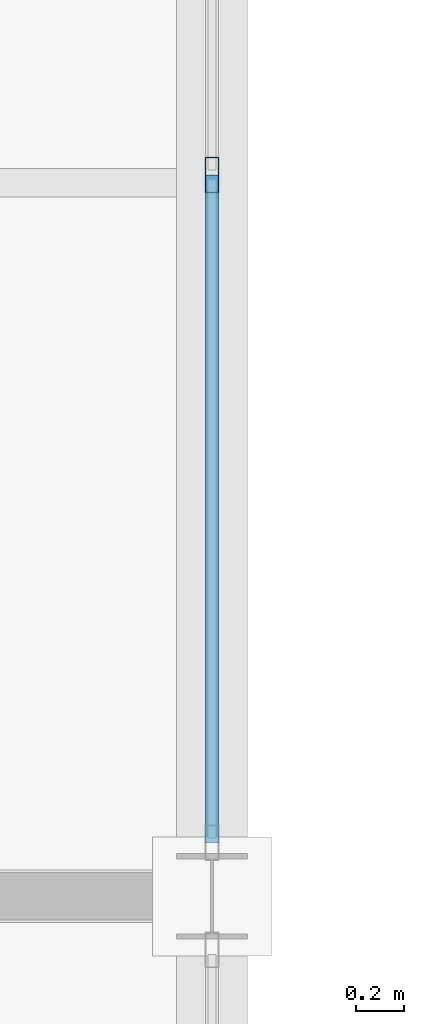
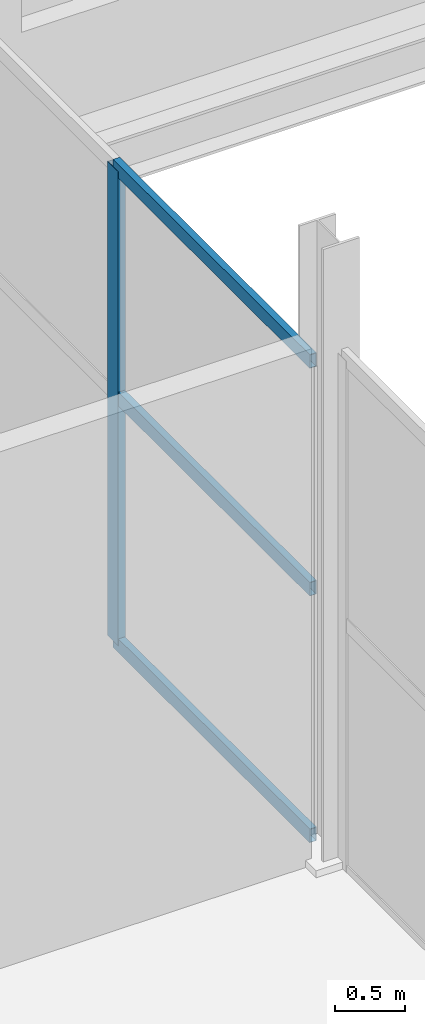
# One storey, part 84 of 141: 4 members, 1 element without a shape of its own.
"""IFC4 building model written with IfcOpenShell, lengths in metres."""

import ifcopenshell
import ifcopenshell.guid

model = None  # the IFC model being written
_history = None  # IfcOwnerHistory: only IFC2X3 demands one
_inside = {}  # id of a spatial element -> (the spatial element, [elements in it])
_under = {}  # id of a project, library or spatial element -> (it, [spatial elements below it])
_declared = {}  # id of a project -> (the project, [libraries it declares])
_typed = {}  # id of a type object -> (the type object, [elements of that type])
_made_of = {}  # id of a material, layer set ... -> (it, [elements and type objects made of it])


def new_model(schema):
    """Start an empty IFC model of exactly this schema.

    Asked for "IFC4X3", IfcOpenShell would pick the latest addendum, in which some entities
    have other attributes; the version numbers below select the first issue.
    IFC2X3 requires an IfcOwnerHistory on every rooted entity: one is made here for all.
    """
    global model, _history
    if schema == "IFC4X3":
        model = ifcopenshell.file(schema_version=(4, 3, 0, 0))
    else:
        model = ifcopenshell.file(schema=schema)
    _inside.clear()
    _under.clear()
    _declared.clear()
    _typed.clear()
    _made_of.clear()
    _history = None
    if model.schema == "IFC2X3":
        org = make("IfcOrganization", Name="unknown")
        user = make(
            "IfcPersonAndOrganization",
            ThePerson=make("IfcPerson", FamilyName="unknown"),
            TheOrganization=org,
        )
        app = make(
            "IfcApplication",
            ApplicationDeveloper=org,
            Version="unknown",
            ApplicationFullName="unknown",
            ApplicationIdentifier="unknown",
        )
        _history = make(
            "IfcOwnerHistory",
            OwningUser=user,
            OwningApplication=app,
            ChangeAction="ADDED",
            CreationDate=0,
        )
    return model


def make(cls, **values):
    """One entity of the class cls with the attributes given. An attribute that is None is left unset."""
    return model.create_entity(
        cls, **{name: value for name, value in values.items() if value is not None}
    )


def rooted(cls, **values):
    """An entity with a GlobalId (a new one), such as an element, a storey or a relation."""
    return make(cls, GlobalId=ifcopenshell.guid.new(), OwnerHistory=_history, **values)


def si_unit(unit_type, name, prefix=None):
    """IfcSIUnit, for example si_unit("LENGTHUNIT", "METRE", prefix="MILLI")."""
    return make("IfcSIUnit", UnitType=unit_type, Prefix=prefix, Name=name)


def assignment(units):
    """IfcUnitAssignment: the units of a project."""
    return None if units is None else make("IfcUnitAssignment", Units=units)


def point(xyz):
    """IfcCartesianPoint."""
    return None if xyz is None else make("IfcCartesianPoint", Coordinates=xyz)


def direction(xyz):
    """IfcDirection."""
    return None if xyz is None else make("IfcDirection", DirectionRatios=xyz)


def frame(location, z_axis=None, x_axis=None):
    """IfcAxis2Placement3D, a coordinate frame: its origin and axes. An axis left out is left unset."""
    return make(
        "IfcAxis2Placement3D",
        Location=point(location),
        Axis=direction(z_axis),
        RefDirection=direction(x_axis),
    )


def frame_2d(location, x_axis=None):
    """IfcAxis2Placement2D, a coordinate frame in the plane: its origin and x axis."""
    return make(
        "IfcAxis2Placement2D", Location=point(location), RefDirection=direction(x_axis)
    )


def origin():
    """The frame at (0, 0, 0) with its axes left unset."""
    return frame((0.0, 0.0, 0.0))


def origin_2d():
    """The frame at (0, 0) in the plane with its x axis left unset."""
    return frame_2d((0.0, 0.0))


def place(relative_to, where):
    """IfcLocalPlacement: puts the frame where relative to a parent placement (None: the world)."""
    return make(
        "IfcLocalPlacement", PlacementRelTo=relative_to, RelativePlacement=where
    )


def context(
    kind, dimensions, precision=None, world=None, true_north=None, identifier=None
):
    """IfcGeometricRepresentationContext, for example the 3D "Model" context."""
    return make(
        "IfcGeometricRepresentationContext",
        ContextIdentifier=identifier,
        ContextType=kind,
        CoordinateSpaceDimension=dimensions,
        Precision=precision,
        WorldCoordinateSystem=world,
        TrueNorth=true_north,
    )


def subcontext(parent, identifier, kind, view, scale=None):
    """IfcGeometricRepresentationSubContext, for example "Body" below "Model"."""
    return make(
        "IfcGeometricRepresentationSubContext",
        ContextIdentifier=identifier,
        ContextType=kind,
        ParentContext=parent,
        TargetScale=scale,
        TargetView=view,
    )


def project(units=None, contexts=None):
    """IfcProject with its units and contexts."""
    return rooted(
        "IfcProject",
        Name="project",
        RepresentationContexts=contexts,
        UnitsInContext=assignment(units),
    )


def spatial(cls, under=None, at=None, **own):
    """A site, building, storey or space (cls), placed at a placement, below another one or the project."""
    s = rooted(cls, ObjectPlacement=at, **own)
    if under is not None:
        _under.setdefault(under.id(), (under, []))[1].append(s)
    return s


def profile(cls, at=None, kind="AREA", **sizes):
    """A parametric profile (cls). Its sizes go by their IFC names, for example OverallWidth=200.0."""
    return make(cls, ProfileType=kind, Position=at, **sizes)


def hollow_rectangle(**sizes):
    """IfcRectangleHollowProfileDef."""
    return profile("IfcRectangleHollowProfileDef", **sizes)


def extrude(swept, where, along, depth):
    """IfcExtrudedAreaSolid: the profile swept, set in the frame where, extruded along a direction by depth."""
    return make(
        "IfcExtrudedAreaSolid",
        SweptArea=swept,
        Position=where,
        ExtrudedDirection=direction(along),
        Depth=depth,
    )


def shape(context_of_items, identifier, shape_type, items):
    """IfcShapeRepresentation: the items that make up one representation, for example the "Body"."""
    return make(
        "IfcShapeRepresentation",
        ContextOfItems=context_of_items,
        RepresentationIdentifier=identifier,
        RepresentationType=shape_type,
        Items=items,
    )


def material(Name=None, Category=None):
    """IfcMaterial."""
    return make("IfcMaterial", Name=Name, Category=Category)


def layer(
    of_material, thickness, ventilated=None, Name=None, Category=None, Priority=None
):
    """IfcMaterialLayer: one layer of a wall or slab, of a material (None: an air gap)."""
    return make(
        "IfcMaterialLayer",
        Material=of_material,
        LayerThickness=thickness,
        IsVentilated=ventilated,
        Name=Name,
        Category=Category,
        Priority=Priority,
    )


def layer_set(layers, Name=None):
    """IfcMaterialLayerSet."""
    return make("IfcMaterialLayerSet", MaterialLayers=layers, LayerSetName=Name)


def material_profile(
    of_material, cross_section, Name=None, Category=None, Priority=None
):
    """IfcMaterialProfile: a cross section and its material."""
    return make(
        "IfcMaterialProfile",
        Name=Name,
        Material=of_material,
        Profile=cross_section,
        Priority=Priority,
        Category=Category,
    )


def profile_set(profiles, Name=None, composite=None):
    """IfcMaterialProfileSet."""
    return make(
        "IfcMaterialProfileSet",
        Name=Name,
        MaterialProfiles=profiles,
        CompositeProfile=composite,
    )


def made_of(thing, what):
    """Note that an element or type object is made of a material, layer set ...; save() writes the relation."""
    if what is not None:
        _made_of.setdefault(what.id(), (what, []))[1].append(thing)
    return thing


def type_object(cls, material=None, **own):
    """A type object (cls), such as IfcWallType, which elements share."""
    return made_of(rooted(cls, **own), material)


def element(
    cls,
    number,
    at=None,
    inside=None,
    cuts=None,
    type_object=None,
    material=None,
    context=None,
    identifier="Body",
    shape_type=None,
    held_by="IfcProductDefinitionShape",
    body=None,
    shapes=None,
    **own,
):
    """One element of the class cls, such as IfcWall. Its Tag is "e" and its number.

    at: its placement. inside: the storey or other place that contains it. cuts: it is an
    opening in that element (IfcRelVoidsElement). A single representation is given by context,
    identifier, shape_type and body (its items); several are given by shapes. held_by: the class
    of the entity that holds the representations. save() writes the other relations.
    """
    e = rooted(cls, Tag="e%d" % number, ObjectPlacement=at, **own)
    if body is not None:
        shapes = [shape(context, identifier, shape_type, body)]
    if shapes is not None:
        e.Representation = make(held_by, Representations=shapes)
    if inside is not None:
        _inside.setdefault(inside.id(), (inside, []))[1].append(e)
    if cuts is not None:
        rooted(
            "IfcRelVoidsElement", RelatingBuildingElement=cuts, RelatedOpeningElement=e
        )
    if type_object is not None:
        _typed.setdefault(type_object.id(), (type_object, []))[1].append(e)
    return made_of(e, material)


def aggregate(whole, parts):
    """IfcRelAggregates: a whole, such as a stair, and the parts it consists of."""
    return rooted("IfcRelAggregates", RelatingObject=whole, RelatedObjects=parts)


def save(model, path):
    """Write the relations noted so far, then the file.

    IfcRelAggregates (storeys below a building ...), IfcRelContainedInSpatialStructure (elements
    in a storey), IfcRelDefinesByType, IfcRelAssociatesMaterial and IfcRelDeclares: one each for
    every whole, place, type object, material and project.
    """
    for whole, parts in _under.values():
        aggregate(whole, parts)
    for where, things in _inside.values():
        rooted(
            "IfcRelContainedInSpatialStructure",
            RelatedElements=things,
            RelatingStructure=where,
        )
    for kind, things in _typed.values():
        rooted("IfcRelDefinesByType", RelatedObjects=things, RelatingType=kind)
    for what, things in _made_of.values():
        rooted("IfcRelAssociatesMaterial", RelatedObjects=things, RelatingMaterial=what)
    for by, libraries in _declared.values():
        rooted("IfcRelDeclares", RelatingContext=by, RelatedDefinitions=libraries)
    model.write(path)


model = new_model("IFC4")

# Units and contexts
model_context = context("Model", 3, precision=1e-05, world=origin(), true_north=direction((0.0, 1.0)))
body_context = subcontext(model_context, "Body", "Model", "MODEL_VIEW")
ifc_project = project(units=[si_unit("LENGTHUNIT", "METRE"), si_unit("AREAUNIT", "SQUARE_METRE"), si_unit("VOLUMEUNIT", "CUBIC_METRE"), si_unit("PLANEANGLEUNIT", "RADIAN"), si_unit("MASSUNIT", "GRAM", prefix="KILO")], contexts=[model_context])

# Site, building, storey
site_placement = place(None, origin())
site = spatial("IfcSite", under=ifc_project, at=site_placement, CompositionType="ELEMENT")
building_placement = place(site_placement, origin())
building = spatial("IfcBuilding", under=site, at=building_placement, Name="Sundgate Opera House", CompositionType="ELEMENT")
storey_placement = place(building_placement, frame((0.0, 0.0, 11.39990234375)))
storey = spatial("IfcBuildingStorey", under=building, at=storey_placement, Name="L02", CompositionType="ELEMENT", Elevation=11.39990234375)

# Curtain wall, members
ifc_material_1 = material(Name="Anodized aluminium and low-iron glass", Category="aluminium")
ifc_layer = layer(ifc_material_1, 0.159912109375)
ifc_layer_set = layer_set([ifc_layer], Name="Anodized aluminium and low-iron glass")
curtain_wall_type = type_object("IfcCurtainWallType", Name="CW-STUDIO-DARK", PredefinedType="NOTDEFINED", material=ifc_layer_set)
curtain_wall_placement = place(storey_placement, origin())
curtain_wall = element("IfcCurtainWall", 1, at=curtain_wall_placement, inside=storey, type_object=curtain_wall_type, Name="L02 Curtain Wall CW069", PredefinedType="NOTDEFINED")
ifc_material_2 = material(Name="Anodized aluminium EN AW-6063", Category="aluminium")
ifc_material_profile_1 = material_profile(ifc_material_2, hollow_rectangle(XDim=0.06005859375, YDim=0.14990234375, WallThickness=0.00390625, at=origin_2d()), Name="CWM 150x60x4")
ifc_profile_set_1 = profile_set([ifc_material_profile_1], Name="Anodized aluminium EN AW-6063")
member_type_1 = type_object("IfcMemberType", Name="CWM-ALU-150x60", PredefinedType="MULLION", material=ifc_profile_set_1)
member_1_placement = place(storey_placement, frame((145.800048828125, 63.033447265625, 0.0), z_axis=(0.0, 0.0, 1.0), x_axis=(1.0, 0.0, 0.0)))
member_1 = element("IfcMember", 2, at=member_1_placement, type_object=member_type_1, Name="CW069 Mullion 2", PredefinedType="MULLION", context=body_context, shape_type="SweptSolid", body=[
    extrude(hollow_rectangle(XDim=0.06005859375, YDim=0.14990234375, WallThickness=0.00390625, at=origin_2d()), origin(), (0.0, 0.0, 1.0), 4.135009765625),
])
ifc_material_3 = material(Name="Anodized aluminium EN AW-6063", Category="aluminium")
ifc_material_profile_2 = material_profile(ifc_material_3, hollow_rectangle(XDim=0.054931640625, YDim=0.1201171875, WallThickness=0.00390625, at=origin_2d()), Name="CWT 120x55x4")
ifc_profile_set_2 = profile_set([ifc_material_profile_2], Name="Anodized aluminium EN AW-6063")
member_type_2 = type_object("IfcMemberType", Name="CWT-ALU-120x55", PredefinedType="USERDEFINED", material=ifc_profile_set_2)
member_2_placement = place(storey_placement, frame((145.800048828125, 60.22509765625, 0.0), z_axis=(0.0, 1.0, 0.0), x_axis=(-1.0, 0.0, 0.0)))
member_2 = element("IfcMember", 3, at=member_2_placement, type_object=member_type_2, Name="CW069 Transom 1", ObjectType="TRANSOM", PredefinedType="USERDEFINED", context=body_context, shape_type="SweptSolid", body=[
    extrude(hollow_rectangle(XDim=0.054931640625, YDim=0.1201171875, WallThickness=0.00390625, at=origin_2d()), origin(), (0.0, 0.0, 1.0), 2.808349609375),
])
member_3_placement = place(storey_placement, frame((145.800048828125, 60.22509765625, 2.150146484375), z_axis=(0.0, 1.0, 0.0), x_axis=(-1.0, 0.0, 0.0)))
member_3 = element("IfcMember", 4, at=member_3_placement, type_object=member_type_2, Name="CW069 Transom 2", ObjectType="TRANSOM", PredefinedType="USERDEFINED", context=body_context, shape_type="SweptSolid", body=[
    extrude(hollow_rectangle(XDim=0.054931640625, YDim=0.1201171875, WallThickness=0.00390625, at=origin_2d()), origin(), (0.0, 0.0, 1.0), 2.808349609375),
])
member_4_placement = place(storey_placement, frame((145.800048828125, 60.22509765625, 4.135009765625), z_axis=(0.0, 1.0, 0.0), x_axis=(-1.0, 0.0, 0.0)))
member_4 = element("IfcMember", 5, at=member_4_placement, type_object=member_type_2, Name="CW069 Transom 3", ObjectType="TRANSOM", PredefinedType="USERDEFINED", context=body_context, shape_type="SweptSolid", body=[
    extrude(hollow_rectangle(XDim=0.054931640625, YDim=0.1201171875, WallThickness=0.00390625, at=origin_2d()), origin(), (0.0, 0.0, 1.0), 2.808349609375),
])
aggregate(curtain_wall, [member_1, member_2, member_3, member_4])

save(model, "model.ifc")
